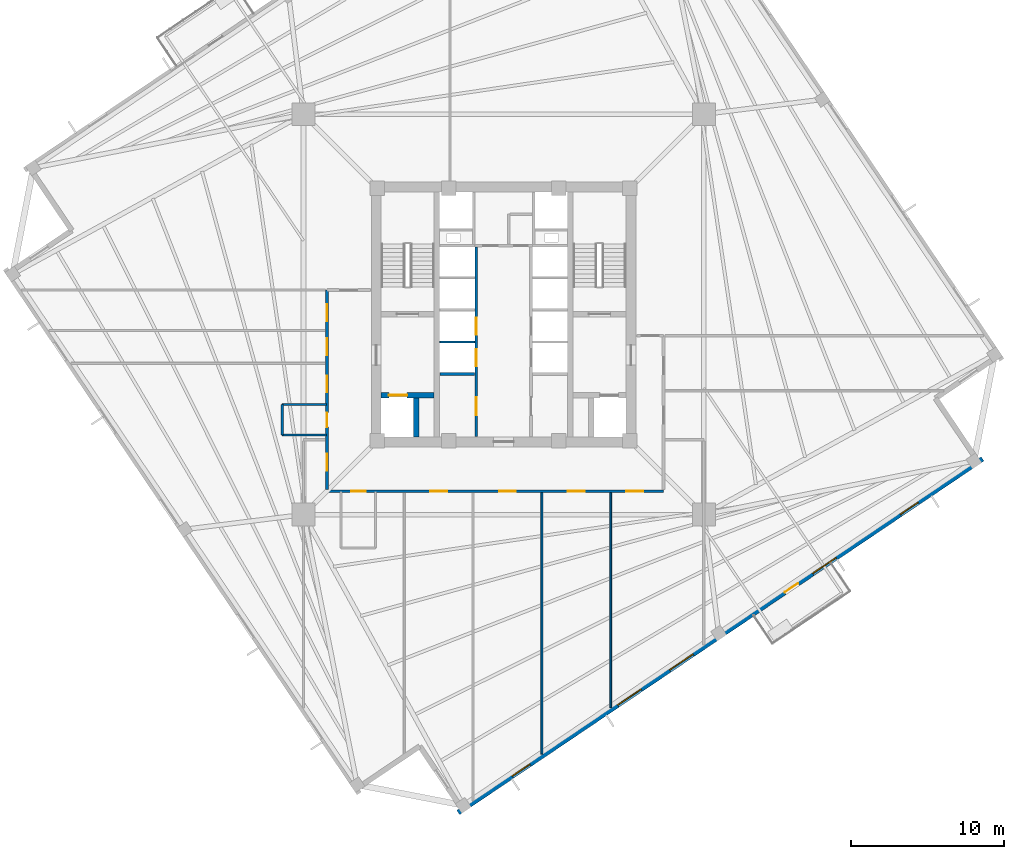
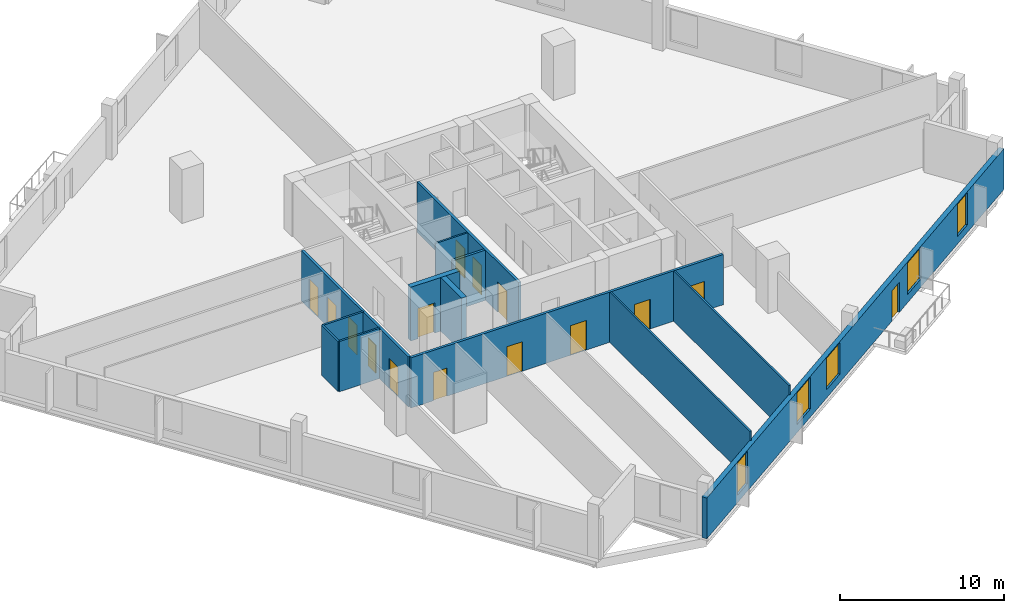
# One storey, part 3 of 9: 15 doors, 13 walls, 5 windows, 20 openings.
"""IFC4 building model written with IfcOpenShell, lengths in metres."""

from ifc_helpers import new_model, si_unit, direction, frame, frame_2d, origin, place, context, subcontext, project, spatial, rectangle, extrude, source, transform, mapped, material, layer, layer_set, type_object, element, fill, save


model = new_model("IFC4")

# Units and contexts
model_context = context("Model", 3, precision=1e-05, world=origin(), true_north=direction((0.0, 1.0)))
body_context = subcontext(model_context, "Body", "Model", "MODEL_VIEW")
ifc_project = project(units=[si_unit("LENGTHUNIT", "METRE"), si_unit("AREAUNIT", "SQUARE_METRE"), si_unit("VOLUMEUNIT", "CUBIC_METRE"), si_unit("PLANEANGLEUNIT", "RADIAN"), si_unit("MASSUNIT", "GRAM", prefix="KILO"), si_unit("THERMODYNAMICTEMPERATUREUNIT", "KELVIN")], contexts=[model_context])

# Site, building, storey
site_placement = place(None, origin())
site = spatial("IfcSite", under=ifc_project, at=site_placement, CompositionType="ELEMENT")
building_placement = place(site_placement, origin())
building = spatial("IfcBuilding", under=site, at=building_placement, Name="Kosmvard Interchange Tower", CompositionType="ELEMENT")
storey_placement = place(building_placement, frame((0.0, 0.0, 160.39990234375)))
storey = spatial("IfcBuildingStorey", under=building, at=storey_placement, Name="L38", CompositionType="ELEMENT", Elevation=160.39990234375)

# Wall, openings, doors
ifc_material_1 = material(Name="Fire-rated gypsum partition system")
ifc_layer_1 = layer(ifc_material_1, 0.179931640625, Name="Fire-rated gypsum partition system")
ifc_layer_set_1 = layer_set([ifc_layer_1], Name="Fire-rated gypsum partition system")
wall_type_1 = type_object("IfcWallType", Name="Corridor & Hotel Compartment Partition 180", PredefinedType="PARTITIONING", material=ifc_layer_set_1)
wall_1_placement = place(storey_placement, frame((-1.7900390625, -7.97998046875, 0.0), z_axis=(0.0, 0.0, 1.0), x_axis=(0.0, 1.0, 0.0)))
wall_1 = element("IfcWall", 1, at=wall_1_placement, inside=storey, type_object=wall_type_1, Name="L38 West Lift Bank Front Wall", PredefinedType="PARTITIONING", context=body_context, shape_type="SweptSolid", body=[
    extrude(rectangle(XDim=12.3798828125, YDim=0.179931640625, at=frame_2d((6.18994140625, 0.0))), origin(), (0.0, 0.0, 1.0), 3.739990234375),
])
opening_1_placement = place(wall_1_placement, frame((4.60009765625, 0.0, 0.0)))
opening_1 = element("IfcOpeningElement", 2, at=opening_1_placement, cuts=wall_1, Name="Opening LD-PL-M1-L38", PredefinedType="OPENING", context=body_context, shape_type="SweptSolid", body=[
    extrude(rectangle(XDim=1.10009765625, YDim=2.199951171875, at=frame_2d((0.550048828125, 1.10009765625))), frame((0.0, 0.10009765625, 0.0), z_axis=(0.0, -1.0, 0.0), x_axis=(1.0, 0.0, 0.0)), (0.0, 0.0, 1.0), 0.199951171875),
])
opening_2_placement = place(wall_1_placement, frame((6.659912109375, 0.0, 0.0)))
opening_2 = element("IfcOpeningElement", 3, at=opening_2_placement, cuts=wall_1, Name="Opening LD-PL-M2-L38", PredefinedType="OPENING", context=body_context, shape_type="SweptSolid", body=[
    extrude(rectangle(XDim=1.10009765625, YDim=2.199951171875, at=frame_2d((0.550048828125, 1.10009765625))), frame((0.0, 0.10009765625, 0.0), z_axis=(0.0, -1.0, 0.0), x_axis=(1.0, 0.0, 0.0)), (0.0, 0.0, 1.0), 0.199951171875),
])
opening_3_placement = place(wall_1_placement, frame((1.39990234375, 0.0, 0.0)))
opening_3 = element("IfcOpeningElement", 4, at=opening_3_placement, cuts=wall_1, Name="Opening L38-CD1", PredefinedType="OPENING", context=body_context, shape_type="SweptSolid", body=[
    extrude(rectangle(XDim=1.14990234375, YDim=2.25, at=frame_2d((0.574951171875, 1.125))), frame((0.0, 0.10009765625, 0.0), z_axis=(0.0, -1.0, 0.0), x_axis=(1.0, 0.0, 0.0)), (0.0, 0.0, 1.0), 0.199951171875),
])
ifc_material_2 = material(Name="Painted fire-rated steel leaf", Category="steel")
door_type_1 = type_object("IfcDoorType", Name="Plant & Riser Fire Door 1150x2250 EI60", OperationType="NOTDEFINED", PredefinedType="DOOR", material=ifc_material_2)
shared_shape_1 = source(origin(), body_context, "Body", "SweptSolid", [
    extrude(rectangle(XDim=1.14990234375, YDim=2.25, at=frame_2d((0.574951171875, 1.125))), frame((0.0, 0.02490234375, 0.0), z_axis=(0.0, -1.0, 0.0), x_axis=(1.0, 0.0, 0.0)), (0.0, 0.0, 1.0), 0.050048828125),
])
door_1_placement = place(opening_3_placement, origin())
door_1 = element("IfcDoor", 5, at=door_1_placement, inside=storey, type_object=door_type_1, Name="L38 Core Switch Door", OperationType="SINGLE_SWING_LEFT", OverallHeight=2.25, OverallWidth=1.14990234375, PredefinedType="DOOR", context=body_context, shape_type="MappedRepresentation", body=[
    mapped(shared_shape_1, transform((0.0, 0.0, 0.0), scale=1.0)),
])
fill(opening_3, door_1)
ifc_material_3 = material(Name="Brushed stainless steel sliding leaf", Category="steel")
door_type_2 = type_object("IfcDoorType", Name="Passenger Lift Sliding Landing Door 1100x2200 EI60", OperationType="DOUBLE_DOOR_SLIDING", PredefinedType="DOOR", material=ifc_material_3)
shared_shape_2 = source(origin(), body_context, "Body", "SweptSolid", [
    extrude(rectangle(XDim=1.10009765625, YDim=2.199951171875, at=frame_2d((0.550048828125, 1.10009765625))), frame((0.0, 0.02490234375, 0.0), z_axis=(0.0, -1.0, 0.0), x_axis=(1.0, 0.0, 0.0)), (0.0, 0.0, 1.0), 0.050048828125),
])
door_2_placement = place(opening_1_placement, frame((1.10009765625, 0.0, 0.0), z_axis=(0.0, 0.0, 1.0), x_axis=(-1.0, 0.0, 0.0)))
door_2 = element("IfcDoor", 6, at=door_2_placement, inside=storey, type_object=door_type_2, Name="Lift PL-M1 Landing Door L38", OperationType="DOUBLE_DOOR_SLIDING", OverallHeight=2.199951171875, OverallWidth=1.10009765625, PredefinedType="DOOR", context=body_context, shape_type="MappedRepresentation", body=[
    mapped(shared_shape_2, transform((0.0, 0.0, 0.0), scale=1.0)),
])
fill(opening_1, door_2)
door_3_placement = place(opening_2_placement, frame((1.10009765625, 0.0, 0.0), z_axis=(0.0, 0.0, 1.0), x_axis=(-1.0, 0.0, 0.0)))
door_3 = element("IfcDoor", 7, at=door_3_placement, inside=storey, type_object=door_type_2, Name="Lift PL-M2 Landing Door L38", OperationType="DOUBLE_DOOR_SLIDING", OverallHeight=2.199951171875, OverallWidth=1.10009765625, PredefinedType="DOOR", context=body_context, shape_type="MappedRepresentation", body=[
    mapped(shared_shape_2, transform((0.0, 0.0, 0.0), scale=1.0)),
])
fill(opening_2, door_3)

wall_2_placement = place(storey_placement, frame((-11.550048828125, -11.550048828125, 0.0), z_axis=(0.0, 0.0, 1.0), x_axis=(1.0, 0.0, 0.0)))
wall_2 = element("IfcWall", 8, at=wall_2_placement, inside=storey, type_object=wall_type_1, Name="L38 Corridor Wall CS", PredefinedType="PARTITIONING", context=body_context, shape_type="SweptSolid", body=[
    extrude(rectangle(XDim=22.0, YDim=0.179931640625, at=frame_2d((11.0, 0.0))), origin(), (0.0, 0.0, 1.0), 3.739990234375),
])
opening_4_placement = place(wall_2_placement, frame((1.580078125, 0.0, 0.0)))
opening_4 = element("IfcOpeningElement", 9, at=opening_4_placement, cuts=wall_2, Name="Opening L38-D02", PredefinedType="OPENING", context=body_context, shape_type="SweptSolid", body=[
    extrude(rectangle(XDim=0.949951171875, YDim=2.10009765625, at=frame_2d((0.47509765625, 1.050048828125))), frame((0.0, 0.10009765625, 0.0), z_axis=(0.0, -1.0, 0.0), x_axis=(1.0, 0.0, 0.0)), (0.0, 0.0, 1.0), 0.199951171875),
])
opening_5_placement = place(wall_2_placement, frame((6.75, 0.0, 0.0)))
opening_5 = element("IfcOpeningElement", 10, at=opening_5_placement, cuts=wall_2, Name="Opening L38-D09", PredefinedType="OPENING", context=body_context, shape_type="SweptSolid", body=[
    extrude(rectangle(XDim=1.10009765625, YDim=2.199951171875, at=frame_2d((0.550048828125, 1.10009765625))), frame((0.0, 0.10009765625, 0.0), z_axis=(0.0, -1.0, 0.0), x_axis=(1.0, 0.0, 0.0)), (0.0, 0.0, 1.0), 0.199951171875),
])
opening_6_placement = place(wall_2_placement, frame((11.25, 0.0, 0.0)))
opening_6 = element("IfcOpeningElement", 11, at=opening_6_placement, cuts=wall_2, Name="Opening L38-D10", PredefinedType="OPENING", context=body_context, shape_type="SweptSolid", body=[
    extrude(rectangle(XDim=1.10009765625, YDim=2.199951171875, at=frame_2d((0.550048828125, 1.10009765625))), frame((0.0, 0.10009765625, 0.0), z_axis=(0.0, -1.0, 0.0), x_axis=(1.0, 0.0, 0.0)), (0.0, 0.0, 1.0), 0.199951171875),
])
opening_7_placement = place(wall_2_placement, frame((15.75, 0.0, 0.0)))
opening_7 = element("IfcOpeningElement", 12, at=opening_7_placement, cuts=wall_2, Name="Opening L38-D11", PredefinedType="OPENING", context=body_context, shape_type="SweptSolid", body=[
    extrude(rectangle(XDim=1.10009765625, YDim=2.199951171875, at=frame_2d((0.550048828125, 1.10009765625))), frame((0.0, 0.10009765625, 0.0), z_axis=(0.0, -1.0, 0.0), x_axis=(1.0, 0.0, 0.0)), (0.0, 0.0, 1.0), 0.199951171875),
])
opening_8_placement = place(wall_2_placement, frame((19.560546875, 0.0, 0.0)))
opening_8 = element("IfcOpeningElement", 13, at=opening_8_placement, cuts=wall_2, Name="Opening L38-D12", PredefinedType="OPENING", context=body_context, shape_type="SweptSolid", body=[
    extrude(rectangle(XDim=1.10009765625, YDim=2.199951171875, at=frame_2d((0.550048828125, 1.10009765625))), frame((0.0, 0.10009765625, 0.0), z_axis=(0.0, -1.0, 0.0), x_axis=(1.0, 0.0, 0.0)), (0.0, 0.0, 1.0), 0.199951171875),
])
ifc_material_4 = material(Name="Laminated moisture-resistant timber", Category="wood")
door_type_3 = type_object("IfcDoorType", Name="Accessible Washroom Door 950x2100", OperationType="NOTDEFINED", PredefinedType="DOOR", material=ifc_material_4)
shared_shape_3 = source(origin(), body_context, "Body", "SweptSolid", [
    extrude(rectangle(XDim=0.949951171875, YDim=2.10009765625, at=frame_2d((0.47509765625, 1.050048828125))), frame((0.0, 0.02490234375, 0.0), z_axis=(0.0, -1.0, 0.0), x_axis=(1.0, 0.0, 0.0)), (0.0, 0.0, 1.0), 0.050048828125),
])
door_4_placement = place(opening_4_placement, frame((0.949951171875, 0.0, 0.0), z_axis=(0.0, 0.0, 1.0), x_axis=(-1.0, 0.0, 0.0)))
door_4 = element("IfcDoor", 14, at=door_4_placement, inside=storey, type_object=door_type_3, Name="L38 Public Floor Washroom Door", OperationType="SINGLE_SWING_RIGHT", OverallHeight=2.10009765625, OverallWidth=0.949951171875, PredefinedType="DOOR", context=body_context, shape_type="MappedRepresentation", body=[
    mapped(shared_shape_3, transform((0.0, 0.0, 0.0), scale=1.0)),
])
fill(opening_4, door_4)
ifc_material_5 = material(Name="Engineered oak fire-rated timber", Category="wood")
door_type_4 = type_object("IfcDoorType", Name="Office Suite Entrance Door 1100x2200 FD30S", OperationType="NOTDEFINED", PredefinedType="DOOR", material=ifc_material_5)
door_5_placement = place(opening_5_placement, frame((1.10009765625, 0.0, 0.0), z_axis=(0.0, 0.0, 1.0), x_axis=(-1.0, 0.0, 0.0)))
door_5 = element("IfcDoor", 15, at=door_5_placement, inside=storey, type_object=door_type_4, Name="L38 Trade Cellular Office 3 Door", OperationType="SINGLE_SWING_LEFT", OverallHeight=2.199951171875, OverallWidth=1.10009765625, PredefinedType="DOOR", context=body_context, shape_type="MappedRepresentation", body=[
    mapped(shared_shape_2, transform((0.0, 0.0, 0.0), scale=1.0)),
])
fill(opening_5, door_5)
door_6_placement = place(opening_6_placement, frame((1.10009765625, 0.0, 0.0), z_axis=(0.0, 0.0, 1.0), x_axis=(-1.0, 0.0, 0.0)))
door_6 = element("IfcDoor", 16, at=door_6_placement, inside=storey, type_object=door_type_4, Name="L38 Trade Cellular Office 4 Door", OperationType="SINGLE_SWING_RIGHT", OverallHeight=2.199951171875, OverallWidth=1.10009765625, PredefinedType="DOOR", context=body_context, shape_type="MappedRepresentation", body=[
    mapped(shared_shape_2, transform((0.0, 0.0, 0.0), scale=1.0)),
])
fill(opening_6, door_6)
door_7_placement = place(opening_7_placement, frame((1.10009765625, 0.0, 0.0), z_axis=(0.0, 0.0, 1.0), x_axis=(-1.0, 0.0, 0.0)))
door_7 = element("IfcDoor", 17, at=door_7_placement, inside=storey, type_object=door_type_4, Name="L38 Trade Cellular Office 5 Door", OperationType="SINGLE_SWING_LEFT", OverallHeight=2.199951171875, OverallWidth=1.10009765625, PredefinedType="DOOR", context=body_context, shape_type="MappedRepresentation", body=[
    mapped(shared_shape_2, transform((0.0, 0.0, 0.0), scale=1.0)),
])
fill(opening_7, door_7)
door_8_placement = place(opening_8_placement, frame((1.10009765625, 0.0, 0.0), z_axis=(0.0, 0.0, 1.0), x_axis=(-1.0, 0.0, 0.0)))
door_8 = element("IfcDoor", 18, at=door_8_placement, inside=storey, type_object=door_type_4, Name="L38 Trade Partner Office 6 Door", OperationType="SINGLE_SWING_RIGHT", OverallHeight=2.199951171875, OverallWidth=1.10009765625, PredefinedType="DOOR", context=body_context, shape_type="MappedRepresentation", body=[
    mapped(shared_shape_2, transform((0.0, 0.0, 0.0), scale=1.0)),
])
fill(opening_8, door_8)

wall_3_placement = place(storey_placement, frame((-11.550048828125, -11.449951171875, 0.0), z_axis=(0.0, 0.0, 1.0), x_axis=(0.0, 1.0, 0.0)))
wall_3 = element("IfcWall", 19, at=wall_3_placement, inside=storey, type_object=wall_type_1, Name="L38 Corridor Wall CW", PredefinedType="PARTITIONING", context=body_context, shape_type="SweptSolid", body=[
    extrude(rectangle(XDim=13.050048828125, YDim=0.179931640625, at=frame_2d((6.52490234375, 0.0))), origin(), (0.0, 0.0, 1.0), 3.739990234375),
])
opening_9_placement = place(wall_3_placement, frame((4.086181640625, 0.0, 0.0)))
opening_9 = element("IfcOpeningElement", 20, at=opening_9_placement, cuts=wall_3, Name="Opening L38-D01", PredefinedType="OPENING", context=body_context, shape_type="SweptSolid", body=[
    extrude(rectangle(XDim=0.949951171875, YDim=2.10009765625, at=frame_2d((0.47509765625, 1.050048828125))), frame((0.0, 0.10009765625, 0.0), z_axis=(0.0, -1.0, 0.0), x_axis=(1.0, 0.0, 0.0)), (0.0, 0.0, 1.0), 0.199951171875),
])
opening_10_placement = place(wall_3_placement, frame((11.010498046875, 0.0, 0.0)))
opening_10 = element("IfcOpeningElement", 21, at=opening_10_placement, cuts=wall_3, Name="Opening L38-D03", PredefinedType="OPENING", context=body_context, shape_type="SweptSolid", body=[
    extrude(rectangle(XDim=1.10009765625, YDim=2.199951171875, at=frame_2d((0.550048828125, 1.10009765625))), frame((0.0, 0.10009765625, 0.0), z_axis=(0.0, -1.0, 0.0), x_axis=(1.0, 0.0, 0.0)), (0.0, 0.0, 1.0), 0.199951171875),
])
opening_11_placement = place(wall_3_placement, frame((8.77490234375, 0.0, 0.0)))
opening_11 = element("IfcOpeningElement", 22, at=opening_11_placement, cuts=wall_3, Name="Opening L38-D06", PredefinedType="OPENING", context=body_context, shape_type="SweptSolid", body=[
    extrude(rectangle(XDim=1.10009765625, YDim=2.199951171875, at=frame_2d((0.550048828125, 1.10009765625))), frame((0.0, 0.10009765625, 0.0), z_axis=(0.0, -1.0, 0.0), x_axis=(1.0, 0.0, 0.0)), (0.0, 0.0, 1.0), 0.199951171875),
])
opening_12_placement = place(wall_3_placement, frame((6.349609375, 0.0, 0.0)))
opening_12 = element("IfcOpeningElement", 23, at=opening_12_placement, cuts=wall_3, Name="Opening L38-D07", PredefinedType="OPENING", context=body_context, shape_type="SweptSolid", body=[
    extrude(rectangle(XDim=1.10009765625, YDim=2.199951171875, at=frame_2d((0.550048828125, 1.10009765625))), frame((0.0, 0.10009765625, 0.0), z_axis=(0.0, -1.0, 0.0), x_axis=(1.0, 0.0, 0.0)), (0.0, 0.0, 1.0), 0.199951171875),
])
opening_13_placement = place(wall_3_placement, frame((1.239501953125, 0.0, 0.0)))
opening_13 = element("IfcOpeningElement", 24, at=opening_13_placement, cuts=wall_3, Name="Opening L38-D08", PredefinedType="OPENING", context=body_context, shape_type="SweptSolid", body=[
    extrude(rectangle(XDim=1.10009765625, YDim=2.199951171875, at=frame_2d((0.550048828125, 1.10009765625))), frame((0.0, 0.10009765625, 0.0), z_axis=(0.0, -1.0, 0.0), x_axis=(1.0, 0.0, 0.0)), (0.0, 0.0, 1.0), 0.199951171875),
])
door_9_placement = place(opening_9_placement, origin())
door_9 = element("IfcDoor", 25, at=door_9_placement, inside=storey, type_object=door_type_3, Name="L38 Accessible Toilet Door", OperationType="SINGLE_SWING_LEFT", OverallHeight=2.10009765625, OverallWidth=0.949951171875, PredefinedType="DOOR", context=body_context, shape_type="MappedRepresentation", body=[
    mapped(shared_shape_3, transform((0.0, 0.0, 0.0), scale=1.0)),
])
fill(opening_9, door_9)
door_10_placement = place(opening_10_placement, origin())
door_10 = element("IfcDoor", 26, at=door_10_placement, inside=storey, type_object=door_type_4, Name="L38 West Innovation Studio Door", OperationType="SINGLE_SWING_LEFT", OverallHeight=2.199951171875, OverallWidth=1.10009765625, PredefinedType="DOOR", context=body_context, shape_type="MappedRepresentation", body=[
    mapped(shared_shape_2, transform((0.0, 0.0, 0.0), scale=1.0)),
])
fill(opening_10, door_10)
door_11_placement = place(opening_11_placement, origin())
door_11 = element("IfcDoor", 27, at=door_11_placement, inside=storey, type_object=door_type_4, Name="L38 Hardware Lab Store Door", OperationType="SINGLE_SWING_RIGHT", OverallHeight=2.199951171875, OverallWidth=1.10009765625, PredefinedType="DOOR", context=body_context, shape_type="MappedRepresentation", body=[
    mapped(shared_shape_2, transform((0.0, 0.0, 0.0), scale=1.0)),
])
fill(opening_11, door_11)
door_12_placement = place(opening_12_placement, origin())
door_12 = element("IfcDoor", 28, at=door_12_placement, inside=storey, type_object=door_type_4, Name="L38 West Architecture Office 1 Door", OperationType="SINGLE_SWING_LEFT", OverallHeight=2.199951171875, OverallWidth=1.10009765625, PredefinedType="DOOR", context=body_context, shape_type="MappedRepresentation", body=[
    mapped(shared_shape_2, transform((0.0, 0.0, 0.0), scale=1.0)),
])
fill(opening_12, door_12)
door_13_placement = place(opening_13_placement, origin())
door_13 = element("IfcDoor", 29, at=door_13_placement, inside=storey, type_object=door_type_4, Name="L38 Trade Cellular Office 2 Door", OperationType="SINGLE_SWING_RIGHT", OverallHeight=2.199951171875, OverallWidth=1.10009765625, PredefinedType="DOOR", context=body_context, shape_type="MappedRepresentation", body=[
    mapped(shared_shape_2, transform((0.0, 0.0, 0.0), scale=1.0)),
])
fill(opening_13, door_13)

# Wall, openings, door, windows
ifc_material_6 = material(Name="Precast concrete C45/55", Category="concrete")
ifc_layer_2 = layer(ifc_material_6, 0.340087890625, Name="Precast concrete C45/55")
ifc_layer_set_2 = layer_set([ifc_layer_2], Name="Precast concrete C45/55")
wall_type_2 = type_object("IfcWallType", Name="Mid Tower Precast Pier Wall 340 C45/55", PredefinedType="STANDARD", material=ifc_layer_set_2)
wall_4_placement = place(storey_placement, frame((-2.971923828125, -32.55810546875, 0.0), z_axis=(0.0, 0.0, 1.0), x_axis=(0.829036218961, 0.559194910251, 0.0)))
wall_4 = element("IfcWall", 30, at=wall_4_placement, inside=storey, type_object=wall_type_2, Name="L38 Precast Facade Wall F-S", PredefinedType="STANDARD", context=body_context, shape_type="SweptSolid", body=[
    extrude(rectangle(XDim=41.340087890625, YDim=0.340087890625, at=frame_2d((20.669921875, 0.0))), origin(), (0.0, 0.0, 1.0), 3.0400390625),
])
opening_14_placement = place(wall_4_placement, frame((25.7451171875, 0.0, 0.0)))
opening_14 = element("IfcOpeningElement", 31, at=opening_14_placement, cuts=wall_4, Name="Opening L38-BDW", PredefinedType="OPENING", context=body_context, shape_type="SweptSolid", body=[
    extrude(rectangle(XDim=1.050048828125, YDim=2.25, at=frame_2d((0.52490234375, 1.125))), frame((0.0, 0.18017578125, 0.0), z_axis=(0.0, -1.0, 0.0), x_axis=(1.0, 0.0, 0.0)), (0.0, 0.0, 1.0), 0.360107421875),
])
opening_15_placement = place(wall_4_placement, frame((4.2607421875, 0.0, 0.56005859375)))
opening_15 = element("IfcOpeningElement", 32, at=opening_15_placement, cuts=wall_4, Name="Opening L38-W01", PredefinedType="OPENING", context=body_context, shape_type="SweptSolid", body=[
    extrude(rectangle(XDim=1.39990234375, YDim=2.39990234375, at=frame_2d((0.699951171875, 1.199951171875))), frame((0.0, 0.18017578125, 0.0), z_axis=(0.0, -1.0, 0.0), x_axis=(1.0, 0.0, 0.0)), (0.0, 0.0, 1.0), 0.360107421875),
])
opening_16_placement = place(wall_4_placement, frame((12.563720703125, 0.0, 0.610107421875)))
opening_16 = element("IfcOpeningElement", 33, at=opening_16_placement, cuts=wall_4, Name="Opening L38-W02", PredefinedType="OPENING", context=body_context, shape_type="SweptSolid", body=[
    extrude(rectangle(XDim=1.85009765625, YDim=2.35009765625, at=frame_2d((0.925048828125, 1.175048828125))), frame((0.0, 0.18017578125, 0.0), z_axis=(0.0, -1.0, 0.0), x_axis=(1.0, 0.0, 0.0)), (0.0, 0.0, 1.0), 0.360107421875),
])
opening_17_placement = place(wall_4_placement, frame((16.668212890625, 0.0, 0.610107421875)))
opening_17 = element("IfcOpeningElement", 34, at=opening_17_placement, cuts=wall_4, Name="Opening L38-W03", PredefinedType="OPENING", context=body_context, shape_type="SweptSolid", body=[
    extrude(rectangle(XDim=1.85009765625, YDim=2.35009765625, at=frame_2d((0.925048828125, 1.175048828125))), frame((0.0, 0.18017578125, 0.0), z_axis=(0.0, -1.0, 0.0), x_axis=(1.0, 0.0, 0.0)), (0.0, 0.0, 1.0), 0.360107421875),
])
opening_18_placement = place(wall_4_placement, frame((27.936279296875, 0.0, 0.610107421875)))
opening_18 = element("IfcOpeningElement", 35, at=opening_18_placement, cuts=wall_4, Name="Opening L38-W04", PredefinedType="OPENING", context=body_context, shape_type="SweptSolid", body=[
    extrude(rectangle(XDim=1.85009765625, YDim=2.35009765625, at=frame_2d((0.925048828125, 1.175048828125))), frame((0.0, 0.18017578125, 0.0), z_axis=(0.0, -1.0, 0.0), x_axis=(1.0, 0.0, 0.0)), (0.0, 0.0, 1.0), 0.360107421875),
])
opening_19_placement = place(wall_4_placement, frame((34.852294921875, 0.0, 0.56005859375)))
opening_19 = element("IfcOpeningElement", 36, at=opening_19_placement, cuts=wall_4, Name="Opening L38-W05", PredefinedType="OPENING", context=body_context, shape_type="SweptSolid", body=[
    extrude(rectangle(XDim=1.39990234375, YDim=2.39990234375, at=frame_2d((0.699951171875, 1.199951171875))), frame((0.0, 0.18017578125, 0.0), z_axis=(0.0, -1.0, 0.0), x_axis=(1.0, 0.0, 0.0)), (0.0, 0.0, 1.0), 0.360107421875),
])
ifc_material_7 = material(Name="Anodised aluminium and safety glass", Category="aluminium")
door_type_5 = type_object("IfcDoorType", Name="Tree-Balcony Glazed Door 1050x2250", OperationType="NOTDEFINED", PredefinedType="DOOR", material=ifc_material_7)
shared_shape_4 = source(origin(), body_context, "Body", "SweptSolid", [
    extrude(rectangle(XDim=1.050048828125, YDim=2.25, at=frame_2d((0.52490234375, 1.125))), frame((0.0, 0.02490234375, 0.0), z_axis=(0.0, -1.0, 0.0), x_axis=(1.0, 0.0, 0.0)), (0.0, 0.0, 1.0), 0.050048828125),
])
door_14_placement = place(opening_14_placement, origin())
door_14 = element("IfcDoor", 37, at=door_14_placement, inside=storey, type_object=door_type_5, Name="L38 Tree-Balcony Door BAL-L38-SW", OperationType="SINGLE_SWING_LEFT", OverallHeight=2.25, OverallWidth=1.050048828125, PredefinedType="DOOR", context=body_context, shape_type="MappedRepresentation", body=[
    mapped(shared_shape_4, transform((0.0, 0.0, 0.0), scale=1.0)),
])
fill(opening_14, door_14)
ifc_material_8 = material(Name="Low-E solar-control double glazing", Category="glass")
window_type_1 = type_object("IfcWindowType", Name="Notched Corner Feature Window 1400x2400", PartitioningType="SINGLE_PANEL", PredefinedType="WINDOW", material=ifc_material_8)
shared_shape_5 = source(origin(), body_context, "Body", "SweptSolid", [
    extrude(rectangle(XDim=1.39990234375, YDim=2.39990234375, at=frame_2d((0.699951171875, 1.199951171875))), frame((0.0, 0.030029296875, 0.0), z_axis=(0.0, -1.0, 0.0), x_axis=(1.0, 0.0, 0.0)), (0.0, 0.0, 1.0), 0.06005859375),
])
window_1_placement = place(opening_15_placement, origin())
window_1 = element("IfcWindow", 38, at=window_1_placement, inside=storey, type_object=window_type_1, Name="L38 Facade Punched Window 01", OverallHeight=2.39990234375, OverallWidth=1.39990234375, PartitioningType="SINGLE_PANEL", PredefinedType="WINDOW", context=body_context, shape_type="MappedRepresentation", body=[
    mapped(shared_shape_5, transform((0.0, 0.0, 0.0), scale=1.0)),
])
fill(opening_15, window_1)
window_2_placement = place(opening_19_placement, origin())
window_2 = element("IfcWindow", 39, at=window_2_placement, inside=storey, type_object=window_type_1, Name="L38 Facade Punched Window 05", OverallHeight=2.39990234375, OverallWidth=1.39990234375, PartitioningType="SINGLE_PANEL", PredefinedType="WINDOW", context=body_context, shape_type="MappedRepresentation", body=[
    mapped(shared_shape_5, transform((0.0, 0.0, 0.0), scale=1.0)),
])
fill(opening_19, window_2)
window_type_2 = type_object("IfcWindowType", Name="Zone 3 Office Punched Window 1850x2350", PartitioningType="SINGLE_PANEL", PredefinedType="WINDOW", material=ifc_material_8)
shared_shape_6 = source(origin(), body_context, "Body", "SweptSolid", [
    extrude(rectangle(XDim=1.85009765625, YDim=2.35009765625, at=frame_2d((0.925048828125, 1.175048828125))), frame((0.0, 0.030029296875, 0.0), z_axis=(0.0, -1.0, 0.0), x_axis=(1.0, 0.0, 0.0)), (0.0, 0.0, 1.0), 0.06005859375),
])
window_3_placement = place(opening_16_placement, origin())
window_3 = element("IfcWindow", 40, at=window_3_placement, inside=storey, type_object=window_type_2, Name="L38 Facade Punched Window 02", OverallHeight=2.35009765625, OverallWidth=1.85009765625, PartitioningType="SINGLE_PANEL", PredefinedType="WINDOW", context=body_context, shape_type="MappedRepresentation", body=[
    mapped(shared_shape_6, transform((0.0, 0.0, 0.0), scale=1.0)),
])
fill(opening_16, window_3)
window_4_placement = place(opening_17_placement, origin())
window_4 = element("IfcWindow", 41, at=window_4_placement, inside=storey, type_object=window_type_2, Name="L38 Facade Punched Window 03", OverallHeight=2.35009765625, OverallWidth=1.85009765625, PartitioningType="SINGLE_PANEL", PredefinedType="WINDOW", context=body_context, shape_type="MappedRepresentation", body=[
    mapped(shared_shape_6, transform((0.0, 0.0, 0.0), scale=1.0)),
])
fill(opening_17, window_4)
window_5_placement = place(opening_18_placement, origin())
window_5 = element("IfcWindow", 42, at=window_5_placement, inside=storey, type_object=window_type_2, Name="L38 Facade Punched Window 04", OverallHeight=2.35009765625, OverallWidth=1.85009765625, PartitioningType="SINGLE_PANEL", PredefinedType="WINDOW", context=body_context, shape_type="MappedRepresentation", body=[
    mapped(shared_shape_6, transform((0.0, 0.0, 0.0), scale=1.0)),
])
fill(opening_18, window_5)

# Walls
ifc_material_9 = material(Name="Gypsum board partition system")
ifc_layer_3 = layer(ifc_material_9, 0.1201171875, Name="Gypsum board partition system")
ifc_layer_set_3 = layer_set([ifc_layer_3], Name="Gypsum board partition system")
wall_type_3 = type_object("IfcWallType", Name="Office Cellular Partition 120", PredefinedType="PARTITIONING", material=ifc_layer_set_3)
wall_5_placement = place(storey_placement, frame((2.5, -28.740478515625, 0.0), z_axis=(0.0, 0.0, 1.0), x_axis=(0.0, 1.0, 0.0)))
element("IfcWall", 43, at=wall_5_placement, inside=storey, type_object=wall_type_3, Name="L38 Room Partition 10.1", PredefinedType="PARTITIONING", context=body_context, shape_type="SweptSolid", body=[
    extrude(rectangle(XDim=17.095458984375, YDim=0.1201171875, at=frame_2d((8.5478515625, 0.0))), origin(), (0.0, 0.0, 1.0), 3.739990234375),
])
wall_6_placement = place(storey_placement, frame((7.0, -25.705322265625, 0.0), z_axis=(0.0, 0.0, 1.0), x_axis=(0.0, 1.0, 0.0)))
element("IfcWall", 44, at=wall_6_placement, inside=storey, type_object=wall_type_3, Name="L38 Room Partition 11.1", PredefinedType="PARTITIONING", context=body_context, shape_type="SweptSolid", body=[
    extrude(rectangle(XDim=14.060302734375, YDim=0.1201171875, at=frame_2d((7.0302734375, 0.0))), origin(), (0.0, 0.0, 1.0), 3.739990234375),
])
ifc_material_10 = material(Name="Concrete blockwork masonry", Category="masonry")
ifc_layer_4 = layer(ifc_material_10, 0.179931640625, Name="Concrete blockwork masonry")
ifc_layer_set_4 = layer_set([ifc_layer_4], Name="Concrete blockwork masonry")
wall_type_4 = type_object("IfcWallType", Name="Riser & Lift Bank Divider Wall 180", PredefinedType="PARTITIONING", material=ifc_layer_set_4)
wall_7_placement = place(storey_placement, frame((-4.169921875, -3.89990234375, 0.0), z_axis=(0.0, 0.0, 1.0), x_axis=(1.0, 0.0, 0.0)))
element("IfcWall", 45, at=wall_7_placement, inside=storey, type_object=wall_type_4, Name="L38 West Bank Divider BD1", PredefinedType="PARTITIONING", context=body_context, shape_type="SweptSolid", body=[
    extrude(rectangle(XDim=2.280029296875, YDim=0.179931640625, at=frame_2d((1.14013671875, 0.0))), origin(), (0.0, 0.0, 1.0), 3.739990234375),
])
ifc_material_11 = material(Name="Fire-rated gypsum shaftwall system")
ifc_layer_5 = layer(ifc_material_11, 0.1201171875, Name="Fire-rated gypsum shaftwall system")
ifc_layer_set_5 = layer_set([ifc_layer_5], Name="Fire-rated gypsum shaftwall system")
wall_type_5 = type_object("IfcWallType", Name="Shaft & Riser Fire Partition 120 EI60", PredefinedType="PARTITIONING", material=ifc_layer_set_5)
wall_8_placement = place(storey_placement, frame((-4.159912109375, -1.800048828125, 0.0), z_axis=(0.0, 0.0, 1.0), x_axis=(1.0, 0.0, 0.0)))
element("IfcWall", 46, at=wall_8_placement, inside=storey, type_object=wall_type_5, Name="L38 Shaft Divider PL-M1", PredefinedType="PARTITIONING", context=body_context, shape_type="SweptSolid", body=[
    extrude(rectangle(XDim=2.260009765625, YDim=0.1201171875, at=frame_2d((1.1298828125, 0.0))), origin(), (0.0, 0.0, 1.0), 3.739990234375),
])

# Wall, opening, door
ifc_material_12 = material(Name="Concrete C60/75", Category="concrete")
ifc_layer_6 = layer(ifc_material_12, 0.360107421875, Name="Concrete C60/75")
ifc_layer_set_6 = layer_set([ifc_layer_6], Name="Concrete C60/75")
wall_type_6 = type_object("IfcWallType", Name="Stair & Lift Shaft Shear Wall 360 C60/75", PredefinedType="SHEAR", material=ifc_layer_set_6)
wall_9_placement = place(storey_placement, frame((-8.0, -5.280029296875, 0.0), z_axis=(0.0, 0.0, 1.0), x_axis=(1.0, 0.0, 0.0)))
wall_9 = element("IfcWall", 47, at=wall_9_placement, inside=storey, type_object=wall_type_6, Name="L38 Shaft Shear Wall SW-FF1", PredefinedType="SHEAR", context=body_context, shape_type="SweptSolid", body=[
    extrude(rectangle(XDim=3.4599609375, YDim=0.360107421875, at=frame_2d((1.72998046875, 0.0))), origin(), (0.0, 0.0, 1.0), 4.0),
])
opening_20_placement = place(wall_9_placement, frame((0.5, 0.0, 0.0)))
opening_20 = element("IfcOpeningElement", 48, at=opening_20_placement, cuts=wall_9, Name="Opening LD-FF-1-L38", PredefinedType="OPENING", context=body_context, shape_type="SweptSolid", body=[
    extrude(rectangle(XDim=1.199951171875, YDim=2.25, at=frame_2d((0.60009765625, 1.125))), frame((0.0, 0.18994140625, 0.0), z_axis=(0.0, -1.0, 0.0), x_axis=(1.0, 0.0, 0.0)), (0.0, 0.0, 1.0), 0.380126953125),
])
door_type_6 = type_object("IfcDoorType", Name="Firefighting Lift Sliding Landing Door 1200x2250 EI120", OperationType="DOUBLE_DOOR_SLIDING", PredefinedType="DOOR", material=ifc_material_3)
shared_shape_7 = source(origin(), body_context, "Body", "SweptSolid", [
    extrude(rectangle(XDim=1.199951171875, YDim=2.25, at=frame_2d((0.60009765625, 1.125))), frame((0.0, 0.02490234375, 0.0), z_axis=(0.0, -1.0, 0.0), x_axis=(1.0, 0.0, 0.0)), (0.0, 0.0, 1.0), 0.050048828125),
])
door_15_placement = place(opening_20_placement, origin())
door_15 = element("IfcDoor", 49, at=door_15_placement, inside=storey, type_object=door_type_6, Name="Lift FF-1 Landing Door L38", OperationType="DOUBLE_DOOR_SLIDING", OverallHeight=2.25, OverallWidth=1.199951171875, PredefinedType="DOOR", context=body_context, shape_type="MappedRepresentation", body=[
    mapped(shared_shape_7, transform((0.0, 0.0, 0.0), scale=1.0)),
])
fill(opening_20, door_15)

# Walls
wall_10_placement = place(storey_placement, frame((-5.7099609375, -8.0, 0.0), z_axis=(0.0, 0.0, 1.0), x_axis=(0.0, 1.0, 0.0)))
element("IfcWall", 50, at=wall_10_placement, inside=storey, type_object=wall_type_6, Name="L38 Shaft Shear Wall SW-SM1", PredefinedType="SHEAR", context=body_context, shape_type="SweptSolid", body=[
    extrude(rectangle(XDim=2.5400390625, YDim=0.360107421875, at=frame_2d((1.27001953125, 0.0))), origin(), (0.0, 0.0, 1.0), 4.0),
])
ifc_material_13 = material(Name="Moisture-resistant gypsum partition")
ifc_layer_7 = layer(ifc_material_13, 0.135009765625, Name="Moisture-resistant gypsum partition")
ifc_layer_set_7 = layer_set([ifc_layer_7], Name="Moisture-resistant gypsum partition")
wall_type_7 = type_object("IfcWallType", Name="Wet Room Moisture-Resistant Partition 135", PredefinedType="PARTITIONING", material=ifc_layer_set_7)
for number, where, z_axis, x_axis, name in (
    (51, (-14.469970703125, -7.888916015625, 0.0), (0.0, 0.0, 1.0), (1.0, 0.0, 0.0), "L38 Washroom Partition AWC1-S"),
    (52, (-14.469970703125, -5.888916015625, 0.0), (0.0, 0.0, 1.0), (1.0, 0.0, 0.0), "L38 Washroom Partition AWC1-N"),
):
    element("IfcWall", number, at=place(storey_placement, frame(where, z_axis=z_axis, x_axis=x_axis)), inside=storey, type_object=wall_type_7, Name=name, PredefinedType="PARTITIONING", context=body_context, shape_type="SweptSolid", body=[
        extrude(rectangle(XDim=2.89990234375, YDim=0.135009765625, at=frame_2d((1.449951171875, 0.0))), origin(), (0.0, 0.0, 1.0), 3.739990234375),
    ])
wall_11_placement = place(storey_placement, frame((-14.469970703125, -7.888916015625, 0.0), z_axis=(0.0, 0.0, 1.0), x_axis=(0.0, 1.0, 0.0)))
element("IfcWall", 53, at=wall_11_placement, inside=storey, type_object=wall_type_7, Name="L38 Washroom Partition AWC1-W", PredefinedType="PARTITIONING", context=body_context, shape_type="SweptSolid", body=[
    extrude(rectangle(XDim=2.0, YDim=0.135009765625, at=frame_2d((1.0, 0.0))), origin(), (0.0, 0.0, 1.0), 3.739990234375),
])

save(model, "model.ifc")
